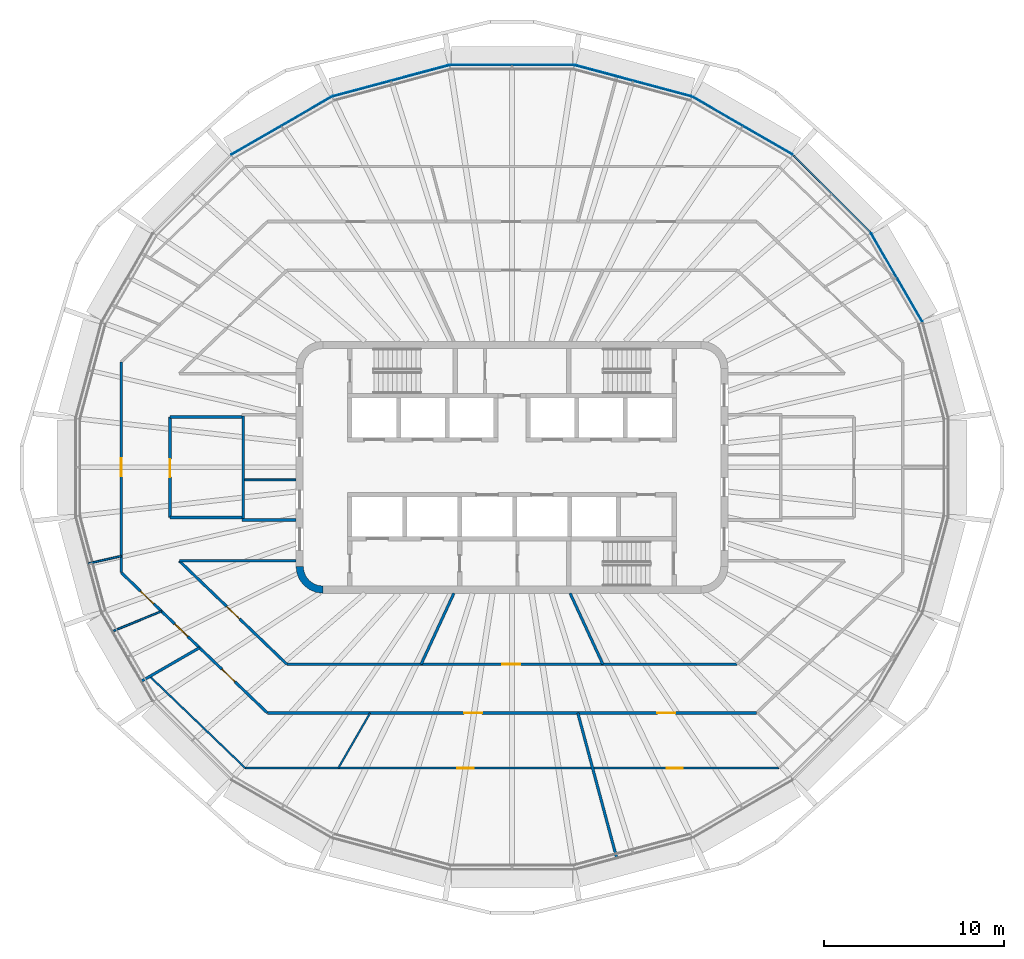
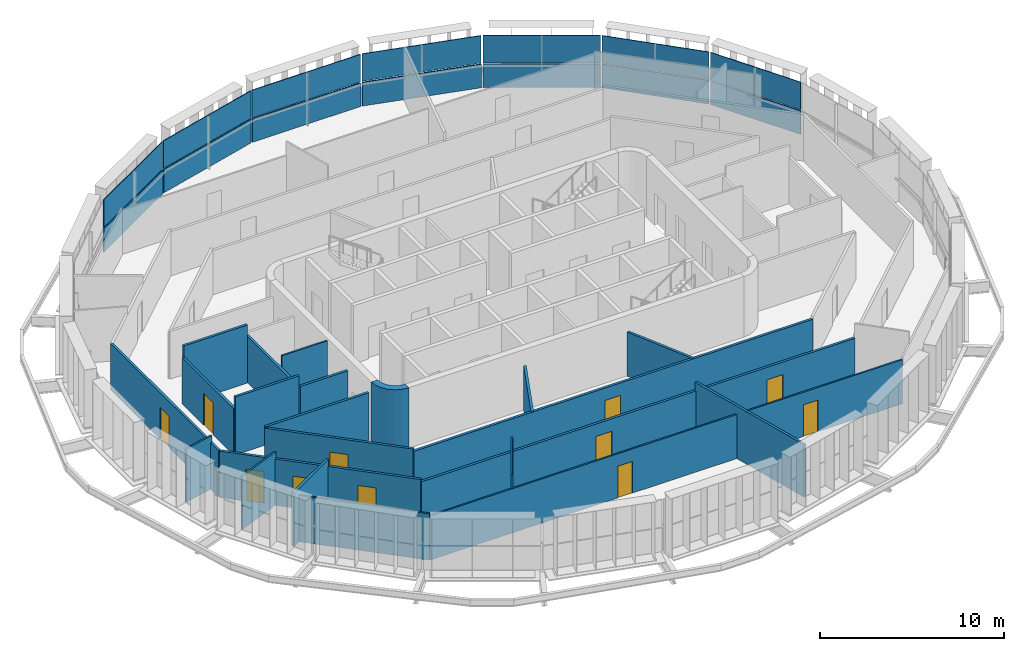
# One storey, part 8 of 18: 22 walls, 14 plates, 11 doors, 11 openings, 7 elements without a shape of their own.
"""IFC4 building model written with IfcOpenShell, lengths in metres."""

from ifc_helpers import new_model, si_unit, direction, frame, frame_2d, origin, place, context, subcontext, project, spatial, polyline, rectangle, outline, extrude, material, layer, layer_set, type_object, element, fill, aggregate, save


model = new_model("IFC4")

# Units and contexts
model_context = context("Model", 3, precision=1e-05, world=origin(), true_north=direction((0.0, 1.0)))
body_context = subcontext(model_context, "Body", "Model", "MODEL_VIEW")
ifc_project = project(units=[si_unit("LENGTHUNIT", "METRE"), si_unit("AREAUNIT", "SQUARE_METRE"), si_unit("VOLUMEUNIT", "CUBIC_METRE"), si_unit("PLANEANGLEUNIT", "RADIAN"), si_unit("MASSUNIT", "GRAM", prefix="KILO")], contexts=[model_context])

# Site, building, storey
site_placement = place(None, origin())
site = spatial("IfcSite", under=ifc_project, at=site_placement, CompositionType="ELEMENT")
building_placement = place(site_placement, origin())
building = spatial("IfcBuilding", under=site, at=building_placement, Name="Sahrelin Media Tower", CompositionType="ELEMENT")
storey_placement = place(building_placement, frame((0.0, 0.0, 320.39990234375)))
storey = spatial("IfcBuildingStorey", under=building, at=storey_placement, Name="L71", CompositionType="ELEMENT", Elevation=320.39990234375)

# Curtain wall, plate
ifc_material_1 = material(Name="Champagne anodised aluminium 6063-T6", Category="aluminium")
ifc_layer_1 = layer(ifc_material_1, 0.14990234375)
ifc_layer_set_1 = layer_set([ifc_layer_1], Name="Tower ribbon curtain wall")
curtain_wall_type = type_object("IfcCurtainWallType", Name="Tower ribbon curtain wall", PredefinedType="NOTDEFINED", material=ifc_layer_set_1)
curtain_wall_1_placement = place(storey_placement, frame((21.37451171875, 10.5458984375, 0.0), z_axis=(0.0, 0.0, 1.0), x_axis=(1.0, 0.0, 0.0)))
curtain_wall_1 = element("IfcCurtainWall", 1, at=curtain_wall_1_placement, inside=storey, type_object=curtain_wall_type, Name="L71:CW:L71-02", PredefinedType="NOTDEFINED")
ifc_material_2 = material(Name="Clear low-iron glazing", Category="glass")
ifc_layer_2 = layer(ifc_material_2, 0.048095703125)
ifc_layer_set_2 = layer_set([ifc_layer_2], Name="Glazing panel 48 mm CW1C")
plate_type_1 = type_object("IfcPlateType", Name="Glazing panel 48 mm CW1C", PredefinedType="CURTAIN_PANEL", material=ifc_layer_set_2)
plate_1_placement = place(storey_placement, frame((22.805908203125, 8.106689453125, 1.630126953125), z_axis=(0.866032477425, 0.499987747895, 0.0), x_axis=(-0.499987747895, 0.866032477425, 0.0)))
plate_1 = element("IfcPlate", 2, at=plate_1_placement, type_object=plate_type_1, Name="L71:CWP2:L71-02", PredefinedType="CURTAIN_PANEL", context=body_context, shape_type="SweptSolid", body=[
    extrude(outline(polyline([(0.0, 0.0), (5.656005859375, 0.0), (5.656005859375, 1.818603515625), (0.0, 1.818603515625), (0.0, 0.0)])), origin(), (0.0, 0.0, -1.0), 0.048095703125),
])

curtain_wall_2_placement = place(storey_placement, frame((17.7783203125, 15.195556640625, 0.0), z_axis=(0.0, 0.0, 1.0), x_axis=(1.0, 0.0, 0.0)))
curtain_wall_2 = element("IfcCurtainWall", 3, at=curtain_wall_2_placement, inside=storey, type_object=curtain_wall_type, Name="L71:CW:L71-03", PredefinedType="NOTDEFINED")
plate_2_placement = place(storey_placement, frame((19.91455078125, 13.087646484375, 1.630126953125), z_axis=(0.707106781187, 0.707106781187, 0.0), x_axis=(-0.707106781187, 0.707106781187, 0.0)))
plate_2 = element("IfcPlate", 4, at=plate_2_placement, type_object=plate_type_1, Name="L71:CWP2:L71-03", PredefinedType="CURTAIN_PANEL", context=body_context, shape_type="SweptSolid", body=[
    extrude(outline(polyline([(0.0, 0.0), (6.002197265625, 0.0), (6.002197265625, 1.818603515625), (0.0, 1.818603515625), (0.0, 0.0)])), origin(), (0.0, 0.0, -1.0), 0.048095703125),
])

curtain_wall_3_placement = place(storey_placement, frame((12.813720703125, 18.973876953125, 0.0), z_axis=(0.0, 0.0, 1.0), x_axis=(1.0, 0.0, 0.0)))
curtain_wall_3 = element("IfcCurtainWall", 5, at=curtain_wall_3_placement, inside=storey, type_object=curtain_wall_type, Name="L71:CW:L71-04", PredefinedType="NOTDEFINED")
plate_3_placement = place(storey_placement, frame((15.58740234375, 17.395263671875, 1.630126953125), z_axis=(0.500034784257, 0.866005320153, 0.0), x_axis=(-0.866005320153, 0.500034784257, 0.0)))
plate_3 = element("IfcPlate", 6, at=plate_3_placement, type_object=plate_type_1, Name="L71:CWP2:L71-04", PredefinedType="CURTAIN_PANEL", context=body_context, shape_type="SweptSolid", body=[
    extrude(outline(polyline([(0.0, 0.0), (6.3828125, 0.0), (6.3828125, 1.818603515625), (0.0, 1.818603515625), (0.0, 0.0)])), origin(), (0.0, 0.0, -1.0), 0.048095703125),
])

curtain_wall_4_placement = place(storey_placement, frame((6.72900390625, 21.47265625, 0.0), z_axis=(0.0, 0.0, 1.0), x_axis=(1.0, 0.0, 0.0)))
curtain_wall_4 = element("IfcCurtainWall", 7, at=curtain_wall_4_placement, inside=storey, type_object=curtain_wall_type, Name="L71:CW:L71-05", PredefinedType="NOTDEFINED")
plate_4_placement = place(storey_placement, frame((9.96337890625, 20.626708984375, 1.630126953125), z_axis=(0.25884194039, 0.965919691224, 0.0), x_axis=(-0.965919691224, 0.25884194039, 0.0)))
plate_4 = element("IfcPlate", 8, at=plate_4_placement, type_object=plate_type_1, Name="L71:CWP2:L71-05", PredefinedType="CURTAIN_PANEL", context=body_context, shape_type="SweptSolid", body=[
    extrude(outline(polyline([(0.0, 0.0), (6.686279296875, 0.0), (6.686279296875, 1.818603515625), (0.0, 1.818603515625), (0.0, 0.0)])), origin(), (0.0, 0.0, -1.0), 0.048095703125),
])

curtain_wall_5_placement = place(storey_placement, frame((0.0, 22.350830078125, 0.0), z_axis=(0.0, 0.0, 1.0), x_axis=(1.0, 0.0, 0.0)))
curtain_wall_5 = element("IfcCurtainWall", 9, at=curtain_wall_5_placement, inside=storey, type_object=curtain_wall_type, Name="L71:CW:L71-06", PredefinedType="NOTDEFINED")
plate_5_placement = place(storey_placement, frame((3.4013671875, 22.370849609375, 1.630126953125), z_axis=(0.0, 1.0, 0.0), x_axis=(-1.0, 0.0, 0.0)))
plate_5 = element("IfcPlate", 10, at=plate_5_placement, type_object=plate_type_1, Name="L71:CWP2:L71-06", PredefinedType="CURTAIN_PANEL", context=body_context, shape_type="SweptSolid", body=[
    extrude(outline(polyline([(0.0, 0.0), (6.802734375, 0.0), (6.802734375, 1.818603515625), (0.0, 1.818603515625), (0.0, 0.0)])), origin(), (0.0, 0.0, -1.0), 0.048095703125),
])

curtain_wall_6_placement = place(storey_placement, frame((-6.72900390625, 21.47265625, 0.0), z_axis=(0.0, 0.0, 1.0), x_axis=(1.0, 0.0, 0.0)))
curtain_wall_6 = element("IfcCurtainWall", 11, at=curtain_wall_6_placement, inside=storey, type_object=curtain_wall_type, Name="L71:CW:L71-07", PredefinedType="NOTDEFINED")
plate_6_placement = place(storey_placement, frame((-3.5048828125, 22.357421875, 1.630126953125), z_axis=(-0.25884194039, 0.965919691224, 0.0), x_axis=(-0.965919691224, -0.25884194039, 0.0)))
plate_6 = element("IfcPlate", 12, at=plate_6_placement, type_object=plate_type_1, Name="L71:CWP2:L71-07", PredefinedType="CURTAIN_PANEL", context=body_context, shape_type="SweptSolid", body=[
    extrude(outline(polyline([(0.0, 0.0), (6.686279296875, 0.0), (6.686279296875, 1.818603515625), (0.0, 1.818603515625), (0.0, 0.0)])), origin(), (0.0, 0.0, -1.0), 0.048095703125),
])

curtain_wall_7_placement = place(storey_placement, frame((-12.813720703125, 18.9736328125, 0.0), z_axis=(0.0, 0.0, 1.0), x_axis=(1.0, 0.0, 0.0)))
curtain_wall_7 = element("IfcCurtainWall", 13, at=curtain_wall_7_placement, inside=storey, type_object=curtain_wall_type, Name="L71:CW:L71-08", PredefinedType="NOTDEFINED")
plate_7_placement = place(storey_placement, frame((-10.059814453125, 20.5869140625, 1.630126953125), z_axis=(-0.500034784257, 0.866005320153, 0.0), x_axis=(-0.866005320153, -0.500034784257, 0.0)))
plate_7 = element("IfcPlate", 14, at=plate_7_placement, type_object=plate_type_1, Name="L71:CWP2:L71-08", PredefinedType="CURTAIN_PANEL", context=body_context, shape_type="SweptSolid", body=[
    extrude(outline(polyline([(0.0, 0.0), (6.3828125, 0.0), (6.3828125, 1.818603515625), (0.0, 1.818603515625), (0.0, 0.0)])), origin(), (0.0, 0.0, -1.0), 0.048095703125),
])

# Plate
ifc_material_3 = material(Name="Insulated spandrel panel")
ifc_layer_3 = layer(ifc_material_3, 0.06005859375)
ifc_layer_set_3 = layer_set([ifc_layer_3], Name="Spandrel panel 60 mm CW1")
plate_type_2 = type_object("IfcPlateType", Name="Spandrel panel 60 mm CW1", PredefinedType="SHEET", material=ifc_layer_set_3)
plate_8_placement = place(storey_placement, frame((22.805908203125, 8.106689453125, 0.0), z_axis=(0.866032477425, 0.499987747895, 0.0), x_axis=(-0.499987747895, 0.866032477425, 0.0)))
plate_8 = element("IfcPlate", 15, at=plate_8_placement, type_object=plate_type_2, Name="L71:CWP1:L71-02", PredefinedType="SHEET", context=body_context, shape_type="SweptSolid", body=[
    extrude(outline(polyline([(0.0, 0.0), (5.656005859375, 0.0), (5.656005859375, 1.570068359375), (0.0, 1.570068359375), (0.0, 0.0)])), origin(), (0.0, 0.0, -1.0), 0.06005859375),
])

aggregate(curtain_wall_1, [plate_8, plate_1])

plate_9_placement = place(storey_placement, frame((19.91455078125, 13.087646484375, 0.0), z_axis=(0.707106781187, 0.707106781187, 0.0), x_axis=(-0.707106781187, 0.707106781187, 0.0)))
plate_9 = element("IfcPlate", 16, at=plate_9_placement, type_object=plate_type_2, Name="L71:CWP1:L71-03", PredefinedType="SHEET", context=body_context, shape_type="SweptSolid", body=[
    extrude(outline(polyline([(0.0, 0.0), (6.002197265625, 0.0), (6.002197265625, 1.570068359375), (0.0, 1.570068359375), (0.0, 0.0)])), origin(), (0.0, 0.0, -1.0), 0.06005859375),
])

aggregate(curtain_wall_2, [plate_9, plate_2])

plate_10_placement = place(storey_placement, frame((15.58740234375, 17.395263671875, 0.0), z_axis=(0.500034784257, 0.866005320153, 0.0), x_axis=(-0.866005320153, 0.500034784257, 0.0)))
plate_10 = element("IfcPlate", 17, at=plate_10_placement, type_object=plate_type_2, Name="L71:CWP1:L71-04", PredefinedType="SHEET", context=body_context, shape_type="SweptSolid", body=[
    extrude(outline(polyline([(0.0, 0.0), (6.3828125, 0.0), (6.3828125, 1.570068359375), (0.0, 1.570068359375), (0.0, 0.0)])), origin(), (0.0, 0.0, -1.0), 0.06005859375),
])

aggregate(curtain_wall_3, [plate_10, plate_3])

plate_11_placement = place(storey_placement, frame((9.96337890625, 20.626708984375, 0.0), z_axis=(0.25884194039, 0.965919691224, 0.0), x_axis=(-0.965919691224, 0.25884194039, 0.0)))
plate_11 = element("IfcPlate", 18, at=plate_11_placement, type_object=plate_type_2, Name="L71:CWP1:L71-05", PredefinedType="SHEET", context=body_context, shape_type="SweptSolid", body=[
    extrude(outline(polyline([(0.0, 0.0), (6.686279296875, 0.0), (6.686279296875, 1.570068359375), (0.0, 1.570068359375), (0.0, 0.0)])), origin(), (0.0, 0.0, -1.0), 0.06005859375),
])

aggregate(curtain_wall_4, [plate_11, plate_4])

plate_12_placement = place(storey_placement, frame((3.4013671875, 22.370849609375, 0.0), z_axis=(0.0, 1.0, 0.0), x_axis=(-1.0, 0.0, 0.0)))
plate_12 = element("IfcPlate", 19, at=plate_12_placement, type_object=plate_type_2, Name="L71:CWP1:L71-06", PredefinedType="SHEET", context=body_context, shape_type="SweptSolid", body=[
    extrude(outline(polyline([(0.0, 0.0), (6.802734375, 0.0), (6.802734375, 1.570068359375), (0.0, 1.570068359375), (0.0, 0.0)])), origin(), (0.0, 0.0, -1.0), 0.06005859375),
])

aggregate(curtain_wall_5, [plate_12, plate_5])

plate_13_placement = place(storey_placement, frame((-3.5048828125, 22.357421875, 0.0), z_axis=(-0.25884194039, 0.965919691224, 0.0), x_axis=(-0.965919691224, -0.25884194039, 0.0)))
plate_13 = element("IfcPlate", 20, at=plate_13_placement, type_object=plate_type_2, Name="L71:CWP1:L71-07", PredefinedType="SHEET", context=body_context, shape_type="SweptSolid", body=[
    extrude(outline(polyline([(0.0, 0.0), (6.686279296875, 0.0), (6.686279296875, 1.570068359375), (0.0, 1.570068359375), (0.0, 0.0)])), origin(), (0.0, 0.0, -1.0), 0.06005859375),
])

aggregate(curtain_wall_6, [plate_13, plate_6])

plate_14_placement = place(storey_placement, frame((-10.059814453125, 20.5869140625, 0.0), z_axis=(-0.500034784257, 0.866005320153, 0.0), x_axis=(-0.866005320153, -0.500034784257, 0.0)))
plate_14 = element("IfcPlate", 21, at=plate_14_placement, type_object=plate_type_2, Name="L71:CWP1:L71-08", PredefinedType="SHEET", context=body_context, shape_type="SweptSolid", body=[
    extrude(outline(polyline([(0.0, 0.0), (6.3828125, 0.0), (6.3828125, 1.570068359375), (0.0, 1.570068359375), (0.0, 0.0)])), origin(), (0.0, 0.0, -1.0), 0.06005859375),
])

aggregate(curtain_wall_7, [plate_14, plate_7])

# Walls
ifc_material_4 = material(Name="Concrete C60/75", Category="concrete")
ifc_layer_4 = layer(ifc_material_4, 0.39990234375)
ifc_layer_set_4 = layer_set([ifc_layer_4], Name="Core wall 400")
wall_type_1 = type_object("IfcWallType", Name="Core wall 400", PredefinedType="SHEAR", material=ifc_layer_set_4)
wall_1_placement = place(storey_placement, origin())
element("IfcWall", 22, at=wall_1_placement, inside=storey, type_object=wall_type_1, Name="Core wall corner SW L71", PredefinedType="SHEAR", context=body_context, shape_type="SweptSolid", body=[
    extrude(outline(polyline([(-10.5, -7.0), (-10.5, -6.596435546875), (-10.78369140625, -6.55908203125), (-11.04833984375, -6.44970703125), (-11.275390625, -6.275390625), (-11.44970703125, -6.04833984375), (-11.55908203125, -5.78369140625), (-11.596435546875, -5.5), (-12.0, -5.5), (-11.948974609375, -5.88818359375), (-11.799072265625, -6.25), (-11.560791015625, -6.560791015625), (-11.25, -6.799072265625), (-10.88818359375, -6.948974609375), (-10.5, -7.0)])), origin(), (0.0, 0.0, 1.0), 4.0),
])
ifc_material_5 = material(Name="Fire-rated gypsum board partition")
ifc_layer_5 = layer(ifc_material_5, 0.10009765625)
ifc_layer_set_5 = layer_set([ifc_layer_5], Name="Fire-rated partition 100")
wall_type_2 = type_object("IfcWallType", Name="Fire-rated partition 100", PredefinedType="PARTITIONING", material=ifc_layer_set_5)
wall_2_placement = place(storey_placement, frame((-14.85009765625, -0.699951171875, 0.0), z_axis=(0.0, 0.0, 1.0), x_axis=(1.0, 0.0, 0.0)))
element("IfcWall", 23, at=wall_2_placement, inside=storey, type_object=wall_type_2, Name="Core room partition", PredefinedType="PARTITIONING", context=body_context, shape_type="SweptSolid", body=[
    extrude(rectangle(XDim=2.85009765625, YDim=0.10009765625, at=frame_2d((1.425048828125, 0.0))), origin(), (0.0, 0.0, 1.0), 3.85009765625),
])
ifc_layer_6 = layer(ifc_material_5, 0.14990234375)
ifc_layer_set_6 = layer_set([ifc_layer_6], Name="Fire-rated partition 150")
wall_type_3 = type_object("IfcWallType", Name="Fire-rated partition 150", PredefinedType="PARTITIONING", material=ifc_layer_set_6)
wall_3_placement = place(storey_placement, frame((-14.925048828125, -2.85009765625, 0.0), z_axis=(0.0, 0.0, 1.0), x_axis=(0.0, 1.0, 0.0)))
element("IfcWall", 24, at=wall_3_placement, inside=storey, type_object=wall_type_3, Name="Core room fire partition", PredefinedType="PARTITIONING", context=body_context, shape_type="SweptSolid", body=[
    extrude(rectangle(XDim=5.7001953125, YDim=0.14990234375, at=frame_2d((2.85009765625, 0.0))), origin(), (0.0, 0.0, 1.0), 3.076171875),
])
wall_4_placement = place(storey_placement, frame((-15.0, -2.925048828125, 0.0), z_axis=(0.0, 0.0, 1.0), x_axis=(1.0, 0.0, 0.0)))
element("IfcWall", 25, at=wall_4_placement, inside=storey, type_object=wall_type_3, Name="Core room fire partition", PredefinedType="PARTITIONING", context=body_context, shape_type="SweptSolid", body=[
    extrude(rectangle(XDim=3.0, YDim=0.14990234375, at=frame_2d((1.5, 0.0))), origin(), (0.0, 0.0, 1.0), 3.2275390625),
])
wall_5_placement = place(storey_placement, frame((3.656982421875, -13.64892578125, 0.0), z_axis=(0.0, 0.0, 1.0), x_axis=(0.258877815031, -0.965910077018, 0.0)))
element("IfcWall", 26, at=wall_5_placement, inside=storey, type_object=wall_type_3, Name="Wall", PredefinedType="PARTITIONING", context=body_context, shape_type="SweptSolid", body=[
    extrude(rectangle(XDim=8.351806640625, YDim=0.14990234375, at=frame_2d((4.17578125, 0.0))), origin(), (0.0, 0.0, 1.0), 3.47509765625),
])
wall_6_placement = place(storey_placement, frame((3.22900390625, -7.0, 0.0), z_axis=(0.0, 0.0, 1.0), x_axis=(0.418762657012, -0.908095720226, 0.0)))
element("IfcWall", 27, at=wall_6_placement, inside=storey, type_object=wall_type_3, Name="Wall", PredefinedType="PARTITIONING", context=body_context, shape_type="SweptSolid", body=[
    extrude(rectangle(XDim=4.3486328125, YDim=0.14990234375, at=frame_2d((2.17431640625, 0.0))), origin(), (0.0, 0.0, 1.0), 2.927001953125),
])

# Wall, openings, doors
wall_7_placement = place(storey_placement, frame((-21.699951171875, -5.85498046875, 0.0), z_axis=(0.0, 0.0, 1.0), x_axis=(0.721260272646, -0.692664145963, 0.0)))
wall_7 = element("IfcWall", 28, at=wall_7_placement, inside=storey, type_object=wall_type_3, Name="Wall", PredefinedType="PARTITIONING", context=body_context, shape_type="SweptSolid", body=[
    extrude(rectangle(XDim=11.25244140625, YDim=0.14990234375, at=frame_2d((5.626220703125, 0.0))), origin(), (0.0, 0.0, 1.0), 3.076171875),
])
opening_1_placement = place(wall_7_placement, frame((1.48876953125, 0.0, 0.0)))
opening_1 = element("IfcOpeningElement", 29, at=opening_1_placement, cuts=wall_7, Name="Opening L71-D34", PredefinedType="OPENING", context=body_context, shape_type="SweptSolid", body=[
    extrude(rectangle(XDim=1.0, YDim=2.10009765625, at=frame_2d((0.5, 1.050048828125))), frame((0.0, 0.074951171875, 0.0), z_axis=(0.0, -1.0, 0.0), x_axis=(1.0, 0.0, 0.0)), (0.0, 0.0, 1.0), 0.14990234375),
])
opening_2_placement = place(wall_7_placement, frame((4.109130859375, 0.0, 0.0)))
opening_2 = element("IfcOpeningElement", 30, at=opening_2_placement, cuts=wall_7, Name="Opening L71-D35", PredefinedType="OPENING", context=body_context, shape_type="SweptSolid", body=[
    extrude(rectangle(XDim=1.0, YDim=2.10009765625, at=frame_2d((0.5, 1.050048828125))), frame((0.0, 0.074951171875, 0.0), z_axis=(0.0, -1.0, 0.0), x_axis=(1.0, 0.0, 0.0)), (0.0, 0.0, 1.0), 0.14990234375),
])
opening_3_placement = place(wall_7_placement, frame((7.748046875, 0.0, 0.0)))
opening_3 = element("IfcOpeningElement", 31, at=opening_3_placement, cuts=wall_7, Name="Opening L71-D36", PredefinedType="OPENING", context=body_context, shape_type="SweptSolid", body=[
    extrude(rectangle(XDim=1.0, YDim=2.10009765625, at=frame_2d((0.5, 1.050048828125))), frame((0.0, 0.074951171875, 0.0), z_axis=(0.0, -1.0, 0.0), x_axis=(1.0, 0.0, 0.0)), (0.0, 0.0, 1.0), 0.14990234375),
])
ifc_material_6 = material(Name="Steel fire door leaf", Category="steel")
door_type_1 = type_object("IfcDoorType", Name="Fire door 1000 x 2100 EI 60", OperationType="NOTDEFINED", PredefinedType="DOOR", material=ifc_material_6)
door_1_placement = place(opening_1_placement, origin())
door_1 = element("IfcDoor", 32, at=door_1_placement, inside=storey, type_object=door_type_1, Name="Fire door", OperationType="SINGLE_SWING_RIGHT", OverallHeight=2.10009765625, OverallWidth=1.0, PredefinedType="DOOR", context=body_context, shape_type="SweptSolid", body=[
    extrude(rectangle(XDim=1.0, YDim=2.10009765625, at=frame_2d((0.5, 1.050048828125))), frame((0.0, 0.02490234375, 0.0), z_axis=(0.0, -1.0, 0.0), x_axis=(1.0, 0.0, 0.0)), (0.0, 0.0, 1.0), 0.050048828125),
])
fill(opening_1, door_1)
door_2_placement = place(opening_2_placement, origin())
door_2 = element("IfcDoor", 33, at=door_2_placement, inside=storey, type_object=door_type_1, Name="Fire door", OperationType="SINGLE_SWING_LEFT", OverallHeight=2.10009765625, OverallWidth=1.0, PredefinedType="DOOR", context=body_context, shape_type="SweptSolid", body=[
    extrude(rectangle(XDim=1.0, YDim=2.10009765625, at=frame_2d((0.5, 1.050048828125))), frame((0.0, 0.02490234375, 0.0), z_axis=(0.0, -1.0, 0.0), x_axis=(1.0, 0.0, 0.0)), (0.0, 0.0, 1.0), 0.050048828125),
])
fill(opening_2, door_2)
door_3_placement = place(opening_3_placement, origin())
door_3 = element("IfcDoor", 34, at=door_3_placement, inside=storey, type_object=door_type_1, Name="Fire door", OperationType="SINGLE_SWING_RIGHT", OverallHeight=2.10009765625, OverallWidth=1.0, PredefinedType="DOOR", context=body_context, shape_type="SweptSolid", body=[
    extrude(rectangle(XDim=1.0, YDim=2.10009765625, at=frame_2d((0.5, 1.050048828125))), frame((0.0, 0.02490234375, 0.0), z_axis=(0.0, -1.0, 0.0), x_axis=(1.0, 0.0, 0.0)), (0.0, 0.0, 1.0), 0.050048828125),
])
fill(opening_3, door_3)

# Wall, opening, door
wall_8_placement = place(storey_placement, frame((-18.48388671875, -5.199951171875, 0.0), z_axis=(0.0, 0.0, 1.0), x_axis=(0.721258572397, -0.692665916401, 0.0)))
wall_8 = element("IfcWall", 35, at=wall_8_placement, inside=storey, type_object=wall_type_3, Name="Wall", PredefinedType="PARTITIONING", context=body_context, shape_type="SweptSolid", body=[
    extrude(rectangle(XDim=8.299560546875, YDim=0.14990234375, at=frame_2d((4.14990234375, 0.0))), origin(), (0.0, 0.0, 1.0), 3.076171875),
])
opening_4_placement = place(wall_8_placement, frame((3.650390625, 0.0, 0.0)))
opening_4 = element("IfcOpeningElement", 36, at=opening_4_placement, cuts=wall_8, Name="Opening L71-D18", PredefinedType="OPENING", context=body_context, shape_type="SweptSolid", body=[
    extrude(rectangle(XDim=1.0, YDim=2.10009765625, at=frame_2d((0.5, 1.050048828125))), frame((0.0, 0.074951171875, 0.0), z_axis=(0.0, -1.0, 0.0), x_axis=(1.0, 0.0, 0.0)), (0.0, 0.0, 1.0), 0.14990234375),
])
door_4_placement = place(opening_4_placement, origin())
door_4 = element("IfcDoor", 37, at=door_4_placement, inside=storey, type_object=door_type_1, Name="Fire door", OperationType="SINGLE_SWING_LEFT", OverallHeight=2.10009765625, OverallWidth=1.0, PredefinedType="DOOR", context=body_context, shape_type="SweptSolid", body=[
    extrude(rectangle(XDim=1.0, YDim=2.10009765625, at=frame_2d((0.5, 1.050048828125))), frame((0.0, 0.02490234375, 0.0), z_axis=(0.0, -1.0, 0.0), x_axis=(1.0, 0.0, 0.0)), (0.0, 0.0, 1.0), 0.050048828125),
])
fill(opening_4, door_4)

# Wall, openings, doors
wall_9_placement = place(storey_placement, frame((-13.583984375, -13.64892578125, 0.0), z_axis=(0.0, 0.0, 1.0), x_axis=(1.0, 0.0, 0.0)))
wall_9 = element("IfcWall", 38, at=wall_9_placement, inside=storey, type_object=wall_type_3, Name="Wall", PredefinedType="PARTITIONING", context=body_context, shape_type="SweptSolid", body=[
    extrude(rectangle(XDim=27.16796875, YDim=0.14990234375, at=frame_2d((13.583984375, 0.0))), origin(), (0.0, 0.0, 1.0), 2.927001953125),
])
opening_5_placement = place(wall_9_placement, frame((10.92236328125, 0.0, 0.0)))
opening_5 = element("IfcOpeningElement", 39, at=opening_5_placement, cuts=wall_9, Name="Opening L71-D37", PredefinedType="OPENING", context=body_context, shape_type="SweptSolid", body=[
    extrude(rectangle(XDim=1.0, YDim=2.10009765625, at=frame_2d((0.5, 1.050048828125))), frame((0.0, 0.074951171875, 0.0), z_axis=(0.0, -1.0, 0.0), x_axis=(1.0, 0.0, 0.0)), (0.0, 0.0, 1.0), 0.14990234375),
])
opening_6_placement = place(wall_9_placement, frame((21.654296875, 0.0, 0.0)))
opening_6 = element("IfcOpeningElement", 40, at=opening_6_placement, cuts=wall_9, Name="Opening L71-D39", PredefinedType="OPENING", context=body_context, shape_type="SweptSolid", body=[
    extrude(rectangle(XDim=1.0, YDim=2.10009765625, at=frame_2d((0.5, 1.050048828125))), frame((0.0, 0.074951171875, 0.0), z_axis=(0.0, -1.0, 0.0), x_axis=(1.0, 0.0, 0.0)), (0.0, 0.0, 1.0), 0.14990234375),
])
door_5_placement = place(opening_5_placement, origin())
door_5 = element("IfcDoor", 41, at=door_5_placement, inside=storey, type_object=door_type_1, Name="Fire door", OperationType="SINGLE_SWING_RIGHT", OverallHeight=2.10009765625, OverallWidth=1.0, PredefinedType="DOOR", context=body_context, shape_type="SweptSolid", body=[
    extrude(rectangle(XDim=1.0, YDim=2.10009765625, at=frame_2d((0.5, 1.050048828125))), frame((0.0, 0.02490234375, 0.0), z_axis=(0.0, -1.0, 0.0), x_axis=(1.0, 0.0, 0.0)), (0.0, 0.0, 1.0), 0.050048828125),
])
fill(opening_5, door_5)
door_6_placement = place(opening_6_placement, origin())
door_6 = element("IfcDoor", 42, at=door_6_placement, inside=storey, type_object=door_type_1, Name="Fire door", OperationType="SINGLE_SWING_LEFT", OverallHeight=2.10009765625, OverallWidth=1.0, PredefinedType="DOOR", context=body_context, shape_type="SweptSolid", body=[
    extrude(rectangle(XDim=1.0, YDim=2.10009765625, at=frame_2d((0.5, 1.050048828125))), frame((0.0, 0.02490234375, 0.0), z_axis=(0.0, -1.0, 0.0), x_axis=(1.0, 0.0, 0.0)), (0.0, 0.0, 1.0), 0.050048828125),
])
fill(opening_6, door_6)

# Wall, opening, door
wall_10_placement = place(storey_placement, frame((-12.498046875, -10.948974609375, 0.0), z_axis=(0.0, 0.0, 1.0), x_axis=(1.0, 0.0, 0.0)))
wall_10 = element("IfcWall", 43, at=wall_10_placement, inside=storey, type_object=wall_type_3, Name="Wall", PredefinedType="PARTITIONING", context=body_context, shape_type="SweptSolid", body=[
    extrude(rectangle(XDim=24.99609375, YDim=0.14990234375, at=frame_2d((12.498046875, 0.0))), origin(), (0.0, 0.0, 1.0), 2.927001953125),
])
opening_7_placement = place(wall_10_placement, frame((11.947998046875, 0.0, 0.0)))
opening_7 = element("IfcOpeningElement", 44, at=opening_7_placement, cuts=wall_10, Name="Opening L71-D19", PredefinedType="OPENING", context=body_context, shape_type="SweptSolid", body=[
    extrude(rectangle(XDim=1.0, YDim=2.10009765625, at=frame_2d((0.5, 1.050048828125))), frame((0.0, 0.074951171875, 0.0), z_axis=(0.0, -1.0, 0.0), x_axis=(1.0, 0.0, 0.0)), (0.0, 0.0, 1.0), 0.14990234375),
])
door_7_placement = place(opening_7_placement, origin())
door_7 = element("IfcDoor", 45, at=door_7_placement, inside=storey, type_object=door_type_1, Name="Fire door", OperationType="SINGLE_SWING_RIGHT", OverallHeight=2.10009765625, OverallWidth=1.0, PredefinedType="DOOR", context=body_context, shape_type="SweptSolid", body=[
    extrude(rectangle(XDim=1.0, YDim=2.10009765625, at=frame_2d((0.5, 1.050048828125))), frame((0.0, 0.02490234375, 0.0), z_axis=(0.0, -1.0, 0.0), x_axis=(1.0, 0.0, 0.0)), (0.0, 0.0, 1.0), 0.050048828125),
])
fill(opening_7, door_7)

# Walls
wall_11_placement = place(storey_placement, frame((-18.48388671875, -5.199951171875, 0.0), z_axis=(0.0, 0.0, 1.0), x_axis=(1.0, 0.0, 0.0)))
element("IfcWall", 46, at=wall_11_placement, inside=storey, type_object=wall_type_3, Name="Wall", PredefinedType="PARTITIONING", context=body_context, shape_type="SweptSolid", body=[
    extrude(rectangle(XDim=6.48388671875, YDim=0.14990234375, at=frame_2d((3.241943359375, 0.0))), origin(), (0.0, 0.0, 1.0), 3.152099609375),
])
for number, where, z_axis, x_axis, name in (
    (47, (-19.0, -2.7900390625, 0.0), (0.0, 0.0, 1.0), (1.0, 0.0, 0.0), "Wall"),
    (48, (-19.0, 2.7900390625, 0.0), (0.0, 0.0, 1.0), (1.0, 0.0, 0.0), "Wall"),
):
    element("IfcWall", number, at=place(storey_placement, frame(where, z_axis=z_axis, x_axis=x_axis)), inside=storey, type_object=wall_type_3, Name=name, PredefinedType="PARTITIONING", context=body_context, shape_type="SweptSolid", body=[
        extrude(rectangle(XDim=4.0, YDim=0.14990234375, at=frame_2d((2.0, 0.0))), origin(), (0.0, 0.0, 1.0), 3.85009765625),
    ])
wall_12_placement = place(storey_placement, frame((-20.597900390625, -11.89208984375, 0.0), z_axis=(0.0, 0.0, 1.0), x_axis=(0.866210589025, 0.499679112493, 0.0)))
element("IfcWall", 49, at=wall_12_placement, inside=storey, type_object=wall_type_3, Name="Wall", PredefinedType="PARTITIONING", context=body_context, shape_type="SweptSolid", body=[
    extrude(rectangle(XDim=3.73876953125, YDim=0.14990234375, at=frame_2d((1.869384765625, 0.0))), origin(), (0.0, 0.0, 1.0), 3.526611328125),
])
wall_13_placement = place(storey_placement, frame((-5.050048828125, -10.948974609375, 0.0), z_axis=(0.0, 0.0, 1.0), x_axis=(0.418762657012, 0.908095720226, 0.0)))
element("IfcWall", 50, at=wall_13_placement, inside=storey, type_object=wall_type_3, Name="Wall", PredefinedType="PARTITIONING", context=body_context, shape_type="SweptSolid", body=[
    extrude(rectangle(XDim=4.3486328125, YDim=0.14990234375, at=frame_2d((2.17431640625, 0.0))), origin(), (0.0, 0.0, 1.0), 2.927001953125),
])

# Wall, opening, door
wall_14_placement = place(storey_placement, frame((-19.0, -2.7900390625, 0.0), z_axis=(0.0, 0.0, 1.0), x_axis=(0.0, 1.0, 0.0)))
wall_14 = element("IfcWall", 51, at=wall_14_placement, inside=storey, type_object=wall_type_3, Name="Wall", PredefinedType="PARTITIONING", context=body_context, shape_type="SweptSolid", body=[
    extrude(rectangle(XDim=5.580078125, YDim=0.14990234375, at=frame_2d((2.7900390625, 0.0))), origin(), (0.0, 0.0, 1.0), 3.076171875),
])
opening_8_placement = place(wall_14_placement, frame((2.23876953125, 0.0, 0.0)))
opening_8 = element("IfcOpeningElement", 52, at=opening_8_placement, cuts=wall_14, Name="Opening L71-D25", PredefinedType="OPENING", context=body_context, shape_type="SweptSolid", body=[
    extrude(rectangle(XDim=1.0, YDim=2.10009765625, at=frame_2d((0.5, 1.050048828125))), frame((0.0, 0.074951171875, 0.0), z_axis=(0.0, -1.0, 0.0), x_axis=(1.0, 0.0, 0.0)), (0.0, 0.0, 1.0), 0.14990234375),
])
door_8_placement = place(opening_8_placement, origin())
door_8 = element("IfcDoor", 53, at=door_8_placement, inside=storey, type_object=door_type_1, Name="Fire door", OperationType="SINGLE_SWING_RIGHT", OverallHeight=2.10009765625, OverallWidth=1.0, PredefinedType="DOOR", context=body_context, shape_type="SweptSolid", body=[
    extrude(rectangle(XDim=1.0, YDim=2.10009765625, at=frame_2d((0.5, 1.050048828125))), frame((0.0, 0.02490234375, 0.0), z_axis=(0.0, -1.0, 0.0), x_axis=(1.0, 0.0, 0.0)), (0.0, 0.0, 1.0), 0.050048828125),
])
fill(opening_8, door_8)

wall_15_placement = place(storey_placement, frame((-21.699951171875, -5.85498046875, 0.0), z_axis=(0.0, 0.0, 1.0), x_axis=(0.0, 1.0, 0.0)))
wall_15 = element("IfcWall", 54, at=wall_15_placement, inside=storey, type_object=wall_type_3, Name="Wall", PredefinedType="PARTITIONING", context=body_context, shape_type="SweptSolid", body=[
    extrude(rectangle(XDim=11.7099609375, YDim=0.14990234375, at=frame_2d((5.85498046875, 0.0))), origin(), (0.0, 0.0, 1.0), 3.076171875),
])
opening_9_placement = place(wall_15_placement, frame((5.3623046875, 0.0, 0.0)))
opening_9 = element("IfcOpeningElement", 55, at=opening_9_placement, cuts=wall_15, Name="Opening L71-D33", PredefinedType="OPENING", context=body_context, shape_type="SweptSolid", body=[
    extrude(rectangle(XDim=1.0, YDim=2.10009765625, at=frame_2d((0.5, 1.050048828125))), frame((0.0, 0.074951171875, 0.0), z_axis=(0.0, -1.0, 0.0), x_axis=(1.0, 0.0, 0.0)), (0.0, 0.0, 1.0), 0.14990234375),
])
door_9_placement = place(opening_9_placement, origin())
door_9 = element("IfcDoor", 56, at=door_9_placement, inside=storey, type_object=door_type_1, Name="Fire door", OperationType="SINGLE_SWING_LEFT", OverallHeight=2.10009765625, OverallWidth=1.0, PredefinedType="DOOR", context=body_context, shape_type="SweptSolid", body=[
    extrude(rectangle(XDim=1.0, YDim=2.10009765625, at=frame_2d((0.5, 1.050048828125))), frame((0.0, 0.02490234375, 0.0), z_axis=(0.0, -1.0, 0.0), x_axis=(1.0, 0.0, 0.0)), (0.0, 0.0, 1.0), 0.050048828125),
])
fill(opening_9, door_9)

# Wall
ifc_material_7 = material(Name="Gypsum board partition")
ifc_layer_7 = layer(ifc_material_7, 0.10009765625)
ifc_layer_set_7 = layer_set([ifc_layer_7], Name="Partition 100")
wall_type_4 = type_object("IfcWallType", Name="Partition 100", PredefinedType="PARTITIONING", material=ifc_layer_set_7)
wall_16_placement = place(storey_placement, frame((-20.118896484375, -11.615966796875, 0.0), z_axis=(0.0, 0.0, 1.0), x_axis=(0.721304381014, -0.692618213686, 0.0)))
element("IfcWall", 57, at=wall_16_placement, inside=storey, type_object=wall_type_4, Name="Wall", PredefinedType="PARTITIONING", context=body_context, shape_type="SweptSolid", body=[
    extrude(rectangle(XDim=7.353271484375, YDim=0.10009765625, at=frame_2d((3.6767578125, 0.0))), origin(), (0.0, 0.0, 1.0), 3.076171875),
])

# Wall, openings, doors
wall_17_placement = place(storey_placement, frame((-14.81494140625, -16.708984375, 0.0), z_axis=(0.0, 0.0, 1.0), x_axis=(1.0, 0.0, 0.0)))
wall_17 = element("IfcWall", 58, at=wall_17_placement, inside=storey, type_object=wall_type_4, Name="Wall", PredefinedType="PARTITIONING", context=body_context, shape_type="SweptSolid", body=[
    extrude(rectangle(XDim=29.6298828125, YDim=0.10009765625, at=frame_2d((14.81494140625, 0.0))), origin(), (0.0, 0.0, 1.0), 2.927001953125),
])
opening_10_placement = place(wall_17_placement, frame((11.780029296875, 0.0, 0.0)))
opening_10 = element("IfcOpeningElement", 59, at=opening_10_placement, cuts=wall_17, Name="Opening L71-D38", PredefinedType="OPENING", context=body_context, shape_type="SweptSolid", body=[
    extrude(rectangle(XDim=0.89990234375, YDim=2.10009765625, at=frame_2d((0.449951171875, 1.050048828125))), frame((0.0, 0.050048828125, 0.0), z_axis=(0.0, -1.0, 0.0), x_axis=(1.0, 0.0, 0.0)), (0.0, 0.0, 1.0), 0.10009765625),
])
opening_11_placement = place(wall_17_placement, frame((23.408203125, 0.0, 0.0)))
opening_11 = element("IfcOpeningElement", 60, at=opening_11_placement, cuts=wall_17, Name="Opening L71-D41", PredefinedType="OPENING", context=body_context, shape_type="SweptSolid", body=[
    extrude(rectangle(XDim=0.89990234375, YDim=2.10009765625, at=frame_2d((0.449951171875, 1.050048828125))), frame((0.0, 0.050048828125, 0.0), z_axis=(0.0, -1.0, 0.0), x_axis=(1.0, 0.0, 0.0)), (0.0, 0.0, 1.0), 0.10009765625),
])
ifc_material_8 = material(Name="Timber door leaf", Category="wood")
door_type_2 = type_object("IfcDoorType", Name="Single door 900 x 2100", OperationType="NOTDEFINED", PredefinedType="DOOR", material=ifc_material_8)
door_10_placement = place(opening_10_placement, origin())
door_10 = element("IfcDoor", 61, at=door_10_placement, inside=storey, type_object=door_type_2, Name="Single door", OperationType="SINGLE_SWING_LEFT", OverallHeight=2.10009765625, OverallWidth=0.89990234375, PredefinedType="DOOR", context=body_context, shape_type="SweptSolid", body=[
    extrude(rectangle(XDim=0.89990234375, YDim=2.10009765625, at=frame_2d((0.449951171875, 1.050048828125))), frame((0.0, 0.02490234375, 0.0), z_axis=(0.0, -1.0, 0.0), x_axis=(1.0, 0.0, 0.0)), (0.0, 0.0, 1.0), 0.050048828125),
])
fill(opening_10, door_10)
door_11_placement = place(opening_11_placement, origin())
door_11 = element("IfcDoor", 62, at=door_11_placement, inside=storey, type_object=door_type_2, Name="Single door", OperationType="SINGLE_SWING_LEFT", OverallHeight=2.10009765625, OverallWidth=0.89990234375, PredefinedType="DOOR", context=body_context, shape_type="SweptSolid", body=[
    extrude(rectangle(XDim=0.89990234375, YDim=2.10009765625, at=frame_2d((0.449951171875, 1.050048828125))), frame((0.0, 0.02490234375, 0.0), z_axis=(0.0, -1.0, 0.0), x_axis=(1.0, 0.0, 0.0)), (0.0, 0.0, 1.0), 0.050048828125),
])
fill(opening_11, door_11)

# Walls
wall_18_placement = place(storey_placement, frame((-23.5390625, -5.34912109375, 0.0), z_axis=(0.0, 0.0, 1.0), x_axis=(0.975106145997, 0.221738593932, 0.0)))
element("IfcWall", 63, at=wall_18_placement, inside=storey, type_object=wall_type_4, Name="Wall", PredefinedType="PARTITIONING", context=body_context, shape_type="SweptSolid", body=[
    extrude(rectangle(XDim=1.885986328125, YDim=0.10009765625, at=frame_2d((0.94287109375, 0.0))), origin(), (0.0, 0.0, 1.0), 3.526611328125),
])
wall_19_placement = place(storey_placement, frame((-22.199951171875, -9.116943359375, 0.0), z_axis=(0.0, 0.0, 1.0), x_axis=(0.925066536441, 0.379805085745, 0.0)))
element("IfcWall", 64, at=wall_19_placement, inside=storey, type_object=wall_type_4, Name="Wall", PredefinedType="PARTITIONING", context=body_context, shape_type="SweptSolid", body=[
    extrude(rectangle(XDim=2.951171875, YDim=0.10009765625, at=frame_2d((1.4755859375, 0.0))), origin(), (0.0, 0.0, 1.0), 3.526611328125),
])
wall_20_placement = place(storey_placement, frame((-9.64697265625, -16.708984375, 0.0), z_axis=(0.0, 0.0, 1.0), x_axis=(0.500077296118, 0.86598077225, 0.0)))
element("IfcWall", 65, at=wall_20_placement, inside=storey, type_object=wall_type_4, Name="Wall", PredefinedType="PARTITIONING", context=body_context, shape_type="SweptSolid", body=[
    extrude(rectangle(XDim=3.53369140625, YDim=0.10009765625, at=frame_2d((1.766845703125, 0.0))), origin(), (0.0, 0.0, 1.0), 3.85009765625),
])

save(model, "model.ifc")
